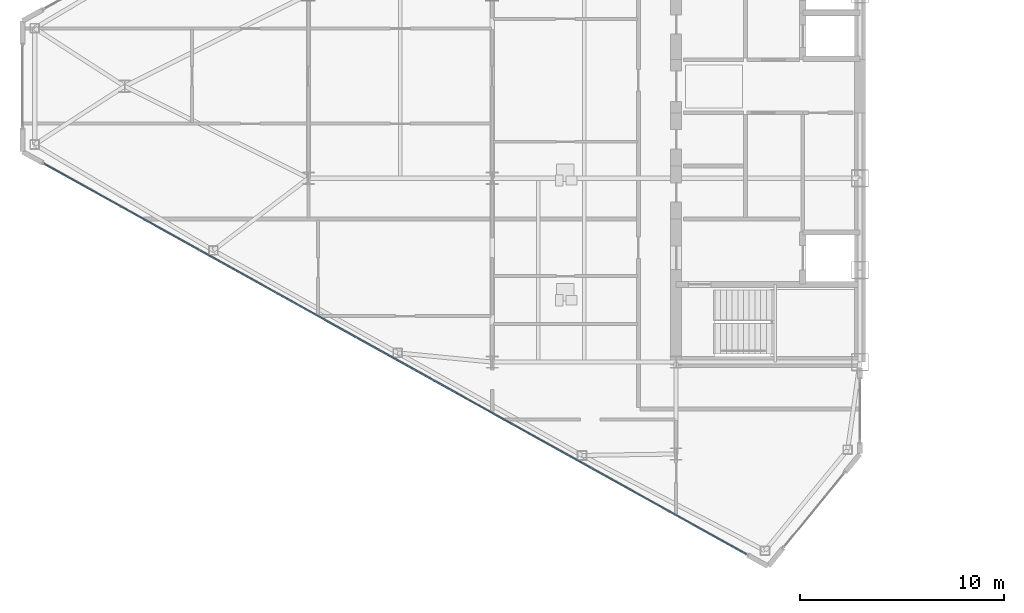
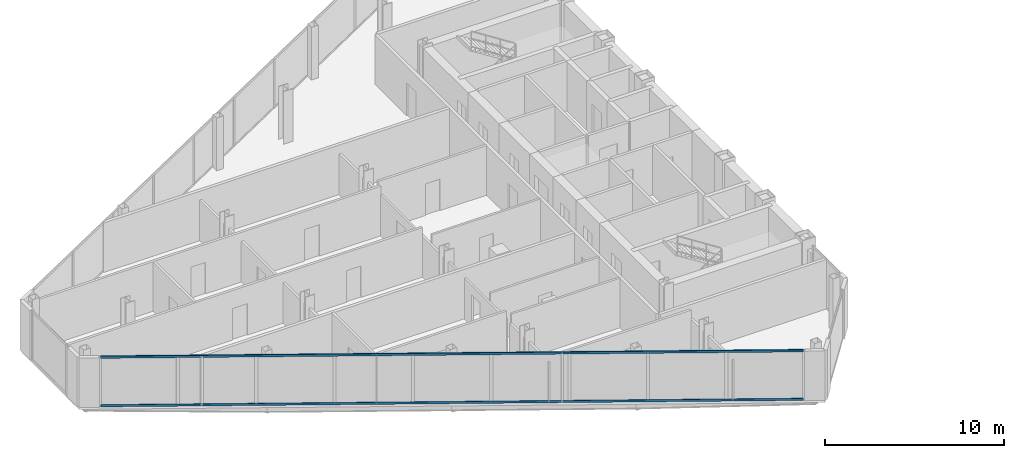
# One storey, part 4 of 26: 2 members, 1 element without a shape of its own.
"""IFC4 building model written with IfcOpenShell, lengths in metres."""

import ifcopenshell
import ifcopenshell.guid

model = None  # the IFC model being written
_history = None  # IfcOwnerHistory: only IFC2X3 demands one
_inside = {}  # id of a spatial element -> (the spatial element, [elements in it])
_under = {}  # id of a project, library or spatial element -> (it, [spatial elements below it])
_declared = {}  # id of a project -> (the project, [libraries it declares])
_typed = {}  # id of a type object -> (the type object, [elements of that type])
_made_of = {}  # id of a material, layer set ... -> (it, [elements and type objects made of it])


def new_model(schema):
    """Start an empty IFC model of exactly this schema.

    Asked for "IFC4X3", IfcOpenShell would pick the latest addendum, in which some entities
    have other attributes; the version numbers below select the first issue.
    IFC2X3 requires an IfcOwnerHistory on every rooted entity: one is made here for all.
    """
    global model, _history
    if schema == "IFC4X3":
        model = ifcopenshell.file(schema_version=(4, 3, 0, 0))
    else:
        model = ifcopenshell.file(schema=schema)
    _inside.clear()
    _under.clear()
    _declared.clear()
    _typed.clear()
    _made_of.clear()
    _history = None
    if model.schema == "IFC2X3":
        org = make("IfcOrganization", Name="unknown")
        user = make(
            "IfcPersonAndOrganization",
            ThePerson=make("IfcPerson", FamilyName="unknown"),
            TheOrganization=org,
        )
        app = make(
            "IfcApplication",
            ApplicationDeveloper=org,
            Version="unknown",
            ApplicationFullName="unknown",
            ApplicationIdentifier="unknown",
        )
        _history = make(
            "IfcOwnerHistory",
            OwningUser=user,
            OwningApplication=app,
            ChangeAction="ADDED",
            CreationDate=0,
        )
    return model


def make(cls, **values):
    """One entity of the class cls with the attributes given. An attribute that is None is left unset."""
    return model.create_entity(
        cls, **{name: value for name, value in values.items() if value is not None}
    )


def rooted(cls, **values):
    """An entity with a GlobalId (a new one), such as an element, a storey or a relation."""
    return make(cls, GlobalId=ifcopenshell.guid.new(), OwnerHistory=_history, **values)


def si_unit(unit_type, name, prefix=None):
    """IfcSIUnit, for example si_unit("LENGTHUNIT", "METRE", prefix="MILLI")."""
    return make("IfcSIUnit", UnitType=unit_type, Prefix=prefix, Name=name)


def assignment(units):
    """IfcUnitAssignment: the units of a project."""
    return None if units is None else make("IfcUnitAssignment", Units=units)


def point(xyz):
    """IfcCartesianPoint."""
    return None if xyz is None else make("IfcCartesianPoint", Coordinates=xyz)


def direction(xyz):
    """IfcDirection."""
    return None if xyz is None else make("IfcDirection", DirectionRatios=xyz)


def frame(location, z_axis=None, x_axis=None):
    """IfcAxis2Placement3D, a coordinate frame: its origin and axes. An axis left out is left unset."""
    return make(
        "IfcAxis2Placement3D",
        Location=point(location),
        Axis=direction(z_axis),
        RefDirection=direction(x_axis),
    )


def frame_2d(location, x_axis=None):
    """IfcAxis2Placement2D, a coordinate frame in the plane: its origin and x axis."""
    return make(
        "IfcAxis2Placement2D", Location=point(location), RefDirection=direction(x_axis)
    )


def origin():
    """The frame at (0, 0, 0) with its axes left unset."""
    return frame((0.0, 0.0, 0.0))


def origin_2d():
    """The frame at (0, 0) in the plane with its x axis left unset."""
    return frame_2d((0.0, 0.0))


def place(relative_to, where):
    """IfcLocalPlacement: puts the frame where relative to a parent placement (None: the world)."""
    return make(
        "IfcLocalPlacement", PlacementRelTo=relative_to, RelativePlacement=where
    )


def context(
    kind, dimensions, precision=None, world=None, true_north=None, identifier=None
):
    """IfcGeometricRepresentationContext, for example the 3D "Model" context."""
    return make(
        "IfcGeometricRepresentationContext",
        ContextIdentifier=identifier,
        ContextType=kind,
        CoordinateSpaceDimension=dimensions,
        Precision=precision,
        WorldCoordinateSystem=world,
        TrueNorth=true_north,
    )


def subcontext(parent, identifier, kind, view, scale=None):
    """IfcGeometricRepresentationSubContext, for example "Body" below "Model"."""
    return make(
        "IfcGeometricRepresentationSubContext",
        ContextIdentifier=identifier,
        ContextType=kind,
        ParentContext=parent,
        TargetScale=scale,
        TargetView=view,
    )


def project(units=None, contexts=None):
    """IfcProject with its units and contexts."""
    return rooted(
        "IfcProject",
        Name="project",
        RepresentationContexts=contexts,
        UnitsInContext=assignment(units),
    )


def spatial(cls, under=None, at=None, **own):
    """A site, building, storey or space (cls), placed at a placement, below another one or the project."""
    s = rooted(cls, ObjectPlacement=at, **own)
    if under is not None:
        _under.setdefault(under.id(), (under, []))[1].append(s)
    return s


def profile(cls, at=None, kind="AREA", **sizes):
    """A parametric profile (cls). Its sizes go by their IFC names, for example OverallWidth=200.0."""
    return make(cls, ProfileType=kind, Position=at, **sizes)


def rectangle(**sizes):
    """IfcRectangleProfileDef."""
    return profile("IfcRectangleProfileDef", **sizes)


def extrude(swept, where, along, depth):
    """IfcExtrudedAreaSolid: the profile swept, set in the frame where, extruded along a direction by depth."""
    return make(
        "IfcExtrudedAreaSolid",
        SweptArea=swept,
        Position=where,
        ExtrudedDirection=direction(along),
        Depth=depth,
    )


def shape(context_of_items, identifier, shape_type, items):
    """IfcShapeRepresentation: the items that make up one representation, for example the "Body"."""
    return make(
        "IfcShapeRepresentation",
        ContextOfItems=context_of_items,
        RepresentationIdentifier=identifier,
        RepresentationType=shape_type,
        Items=items,
    )


def source(mapping_origin, context_of_items, identifier, shape_type, items):
    """IfcRepresentationMap: a shape defined once, which mapped items show again and again."""
    return make(
        "IfcRepresentationMap",
        MappingOrigin=mapping_origin,
        MappedRepresentation=shape(context_of_items, identifier, shape_type, items),
    )


def transform(
    local_origin,
    x_axis=None,
    y_axis=None,
    z_axis=None,
    scale=None,
    scale2=None,
    scale3=None,
    uniform=True,
):
    """IfcCartesianTransformationOperator3D, or its non-uniform kind. x_axis, y_axis, z_axis: its Axis1, 2, 3."""
    if uniform:
        return make(
            "IfcCartesianTransformationOperator3D",
            Axis1=direction(x_axis),
            Axis2=direction(y_axis),
            LocalOrigin=point(local_origin),
            Scale=scale,
            Axis3=direction(z_axis),
        )
    return make(
        "IfcCartesianTransformationOperator3DnonUniform",
        Axis1=direction(x_axis),
        Axis2=direction(y_axis),
        LocalOrigin=point(local_origin),
        Scale=scale,
        Axis3=direction(z_axis),
        Scale2=scale2,
        Scale3=scale3,
    )


def mapped(mapping_source, mapping_target):
    """IfcMappedItem: shows the shape of a source again, moved by a transform."""
    return make(
        "IfcMappedItem", MappingSource=mapping_source, MappingTarget=mapping_target
    )


def material(Name=None, Category=None):
    """IfcMaterial."""
    return make("IfcMaterial", Name=Name, Category=Category)


def layer(
    of_material, thickness, ventilated=None, Name=None, Category=None, Priority=None
):
    """IfcMaterialLayer: one layer of a wall or slab, of a material (None: an air gap)."""
    return make(
        "IfcMaterialLayer",
        Material=of_material,
        LayerThickness=thickness,
        IsVentilated=ventilated,
        Name=Name,
        Category=Category,
        Priority=Priority,
    )


def layer_set(layers, Name=None):
    """IfcMaterialLayerSet."""
    return make("IfcMaterialLayerSet", MaterialLayers=layers, LayerSetName=Name)


def material_profile(
    of_material, cross_section, Name=None, Category=None, Priority=None
):
    """IfcMaterialProfile: a cross section and its material."""
    return make(
        "IfcMaterialProfile",
        Name=Name,
        Material=of_material,
        Profile=cross_section,
        Priority=Priority,
        Category=Category,
    )


def profile_set(profiles, Name=None, composite=None):
    """IfcMaterialProfileSet."""
    return make(
        "IfcMaterialProfileSet",
        Name=Name,
        MaterialProfiles=profiles,
        CompositeProfile=composite,
    )


def made_of(thing, what):
    """Note that an element or type object is made of a material, layer set ...; save() writes the relation."""
    if what is not None:
        _made_of.setdefault(what.id(), (what, []))[1].append(thing)
    return thing


def type_object(cls, material=None, **own):
    """A type object (cls), such as IfcWallType, which elements share."""
    return made_of(rooted(cls, **own), material)


def type_shapes(of_type, sources):
    """Give a type object the sources (RepresentationMaps) that its elements show as mapped items."""
    of_type.RepresentationMaps = sources


def element(
    cls,
    number,
    at=None,
    inside=None,
    cuts=None,
    type_object=None,
    material=None,
    context=None,
    identifier="Body",
    shape_type=None,
    held_by="IfcProductDefinitionShape",
    body=None,
    shapes=None,
    **own,
):
    """One element of the class cls, such as IfcWall. Its Tag is "e" and its number.

    at: its placement. inside: the storey or other place that contains it. cuts: it is an
    opening in that element (IfcRelVoidsElement). A single representation is given by context,
    identifier, shape_type and body (its items); several are given by shapes. held_by: the class
    of the entity that holds the representations. save() writes the other relations.
    """
    e = rooted(cls, Tag="e%d" % number, ObjectPlacement=at, **own)
    if body is not None:
        shapes = [shape(context, identifier, shape_type, body)]
    if shapes is not None:
        e.Representation = make(held_by, Representations=shapes)
    if inside is not None:
        _inside.setdefault(inside.id(), (inside, []))[1].append(e)
    if cuts is not None:
        rooted(
            "IfcRelVoidsElement", RelatingBuildingElement=cuts, RelatedOpeningElement=e
        )
    if type_object is not None:
        _typed.setdefault(type_object.id(), (type_object, []))[1].append(e)
    return made_of(e, material)


def aggregate(whole, parts):
    """IfcRelAggregates: a whole, such as a stair, and the parts it consists of."""
    return rooted("IfcRelAggregates", RelatingObject=whole, RelatedObjects=parts)


def save(model, path):
    """Write the relations noted so far, then the file.

    IfcRelAggregates (storeys below a building ...), IfcRelContainedInSpatialStructure (elements
    in a storey), IfcRelDefinesByType, IfcRelAssociatesMaterial and IfcRelDeclares: one each for
    every whole, place, type object, material and project.
    """
    for whole, parts in _under.values():
        aggregate(whole, parts)
    for where, things in _inside.values():
        rooted(
            "IfcRelContainedInSpatialStructure",
            RelatedElements=things,
            RelatingStructure=where,
        )
    for kind, things in _typed.values():
        rooted("IfcRelDefinesByType", RelatedObjects=things, RelatingType=kind)
    for what, things in _made_of.values():
        rooted("IfcRelAssociatesMaterial", RelatedObjects=things, RelatingMaterial=what)
    for by, libraries in _declared.values():
        rooted("IfcRelDeclares", RelatingContext=by, RelatedDefinitions=libraries)
    model.write(path)


model = new_model("IFC4")

# Units and contexts
model_context = context("Model", 3, precision=1e-05, world=origin(), true_north=direction((0.0, 1.0)))
body_context = subcontext(model_context, "Body", "Model", "MODEL_VIEW")
ifc_project = project(units=[si_unit("LENGTHUNIT", "METRE"), si_unit("AREAUNIT", "SQUARE_METRE"), si_unit("VOLUMEUNIT", "CUBIC_METRE"), si_unit("PLANEANGLEUNIT", "RADIAN"), si_unit("MASSUNIT", "GRAM", prefix="KILO")], contexts=[model_context])

# Site, building, storey
site_placement = place(None, origin())
site = spatial("IfcSite", under=ifc_project, at=site_placement, CompositionType="ELEMENT")
building_placement = place(site_placement, origin())
building = spatial("IfcBuilding", under=site, at=building_placement, Name="Seokmaru Belvedere", CompositionType="ELEMENT")
storey_placement = place(building_placement, frame((0.0, 0.0, 177.89990234375)))
storey = spatial("IfcBuildingStorey", under=building, at=storey_placement, Name="L47", CompositionType="ELEMENT", Elevation=177.89990234375)

# Curtain wall, members
ifc_material_1 = material(Name="Bronze Triple Insulating Glass", Category="glass")
ifc_layer = layer(ifc_material_1, 0.179931640625)
ifc_layer_set = layer_set([ifc_layer], Name="Bronze Triple Insulating Glass")
curtain_wall_type = type_object("IfcCurtainWallType", Name="High-Rise Wind-Corner Curtain Wall System CW-5", PredefinedType="NOTDEFINED", material=ifc_layer_set)
curtain_wall_placement = place(storey_placement, origin())
curtain_wall = element("IfcCurtainWall", 1, at=curtain_wall_placement, inside=storey, type_object=curtain_wall_type, Name="L47 Curtain Wall WF5", PredefinedType="NOTDEFINED")
ifc_material_2 = material(Name="Anodised Bronze Aluminium", Category="aluminium")
ifc_material_profile = material_profile(ifc_material_2, rectangle(XDim=0.06494140625, YDim=0.14990234375, at=origin_2d()), Name="CW-T-65x150")
ifc_profile_set = profile_set([ifc_material_profile], Name="Anodised Bronze Aluminium")
member_type = type_object("IfcMemberType", Name="Bronze Unitised Transom 65x150", PredefinedType="USERDEFINED", material=ifc_profile_set)
shared_shape = source(origin(), body_context, "Body", "SweptSolid", [
    extrude(rectangle(XDim=0.06494140625, YDim=0.14990234375, at=origin_2d()), origin(), (0.0, 0.0, 1.0), 39.33544921875),
])
type_shapes(member_type, [shared_shape])
member_1_placement = place(storey_placement, frame((-67.438232421875, -3.79052734375, 0.03271484375), z_axis=(0.873932045133, -0.486048125693, 0.0), x_axis=(0.486048125693, 0.873932045133, 0.0)))
member_1 = element("IfcMember", 2, at=member_1_placement, type_object=member_type, Name="CW:L47:WF5 Continuous Transom 1", ObjectType="TRANSOM", PredefinedType="USERDEFINED", context=body_context, shape_type="MappedRepresentation", body=[
    mapped(shared_shape, transform((0.0, 0.0, 0.0), scale=1.0)),
])
member_2_placement = place(storey_placement, frame((-67.438232421875, -3.79052734375, 3.34765625), z_axis=(0.873932045133, -0.486048125693, 0.0), x_axis=(0.486048125693, 0.873932045133, 0.0)))
member_2 = element("IfcMember", 3, at=member_2_placement, type_object=member_type, Name="CW:L47:WF5 Continuous Transom 2", ObjectType="TRANSOM", PredefinedType="USERDEFINED", context=body_context, shape_type="MappedRepresentation", body=[
    mapped(shared_shape, transform((0.0, 0.0, 0.0), scale=1.0)),
])
aggregate(curtain_wall, [member_1, member_2])

save(model, "model.ifc")
